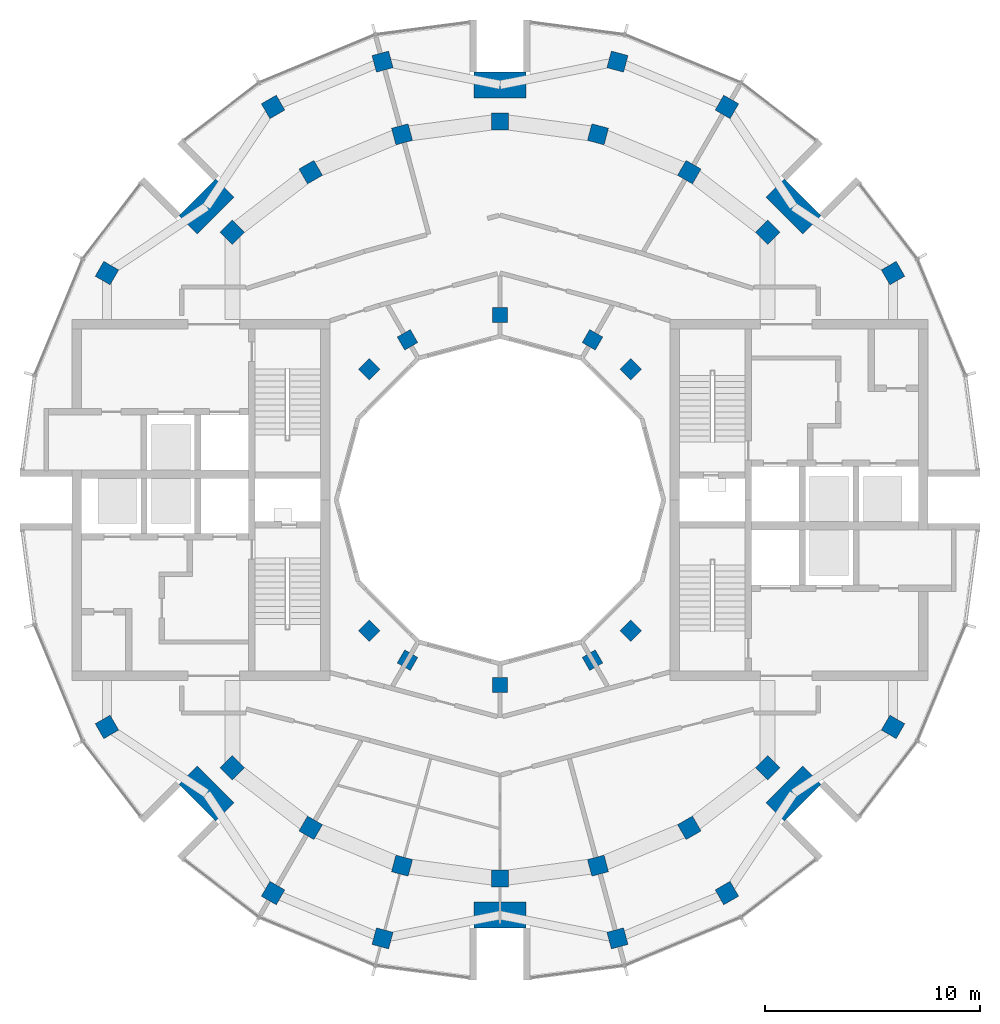
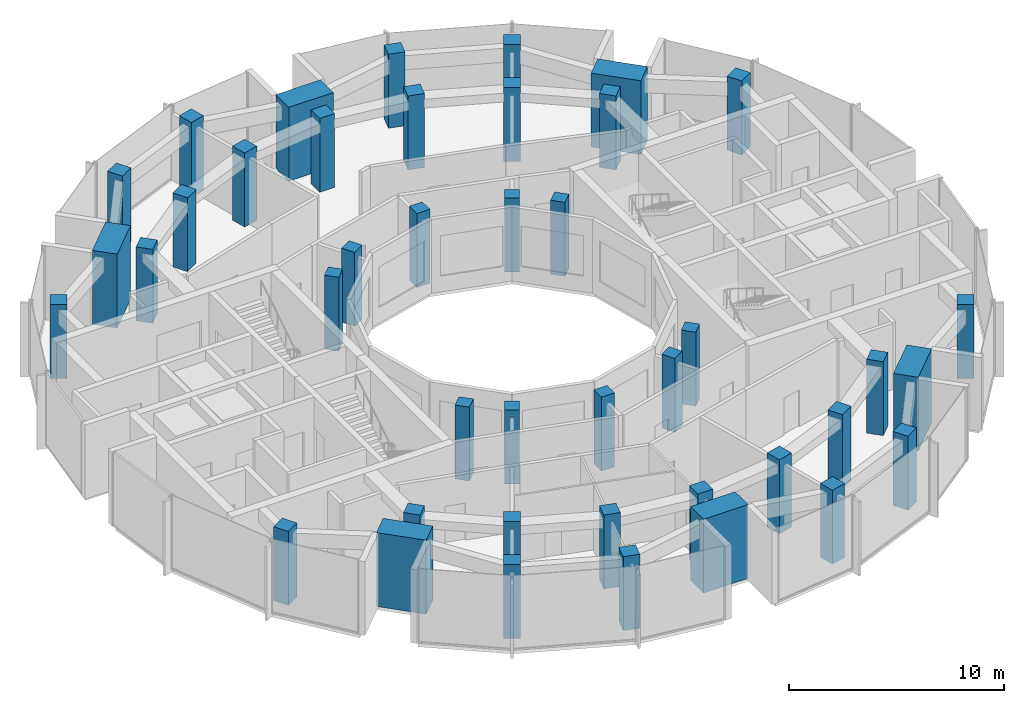
# One storey, part 1 of 13: 42 columns.
"""IFC4 building model written with IfcOpenShell, lengths in metres."""

import ifcopenshell
import ifcopenshell.guid

model = None  # the IFC model being written
_history = None  # IfcOwnerHistory: only IFC2X3 demands one
_inside = {}  # id of a spatial element -> (the spatial element, [elements in it])
_under = {}  # id of a project, library or spatial element -> (it, [spatial elements below it])
_declared = {}  # id of a project -> (the project, [libraries it declares])
_typed = {}  # id of a type object -> (the type object, [elements of that type])
_made_of = {}  # id of a material, layer set ... -> (it, [elements and type objects made of it])


def new_model(schema):
    """Start an empty IFC model of exactly this schema.

    Asked for "IFC4X3", IfcOpenShell would pick the latest addendum, in which some entities
    have other attributes; the version numbers below select the first issue.
    IFC2X3 requires an IfcOwnerHistory on every rooted entity: one is made here for all.
    """
    global model, _history
    if schema == "IFC4X3":
        model = ifcopenshell.file(schema_version=(4, 3, 0, 0))
    else:
        model = ifcopenshell.file(schema=schema)
    _inside.clear()
    _under.clear()
    _declared.clear()
    _typed.clear()
    _made_of.clear()
    _history = None
    if model.schema == "IFC2X3":
        org = make("IfcOrganization", Name="unknown")
        user = make(
            "IfcPersonAndOrganization",
            ThePerson=make("IfcPerson", FamilyName="unknown"),
            TheOrganization=org,
        )
        app = make(
            "IfcApplication",
            ApplicationDeveloper=org,
            Version="unknown",
            ApplicationFullName="unknown",
            ApplicationIdentifier="unknown",
        )
        _history = make(
            "IfcOwnerHistory",
            OwningUser=user,
            OwningApplication=app,
            ChangeAction="ADDED",
            CreationDate=0,
        )
    return model


def make(cls, **values):
    """One entity of the class cls with the attributes given. An attribute that is None is left unset."""
    return model.create_entity(
        cls, **{name: value for name, value in values.items() if value is not None}
    )


def rooted(cls, **values):
    """An entity with a GlobalId (a new one), such as an element, a storey or a relation."""
    return make(cls, GlobalId=ifcopenshell.guid.new(), OwnerHistory=_history, **values)


def si_unit(unit_type, name, prefix=None):
    """IfcSIUnit, for example si_unit("LENGTHUNIT", "METRE", prefix="MILLI")."""
    return make("IfcSIUnit", UnitType=unit_type, Prefix=prefix, Name=name)


def assignment(units):
    """IfcUnitAssignment: the units of a project."""
    return None if units is None else make("IfcUnitAssignment", Units=units)


def point(xyz):
    """IfcCartesianPoint."""
    return None if xyz is None else make("IfcCartesianPoint", Coordinates=xyz)


def direction(xyz):
    """IfcDirection."""
    return None if xyz is None else make("IfcDirection", DirectionRatios=xyz)


def frame(location, z_axis=None, x_axis=None):
    """IfcAxis2Placement3D, a coordinate frame: its origin and axes. An axis left out is left unset."""
    return make(
        "IfcAxis2Placement3D",
        Location=point(location),
        Axis=direction(z_axis),
        RefDirection=direction(x_axis),
    )


def frame_2d(location, x_axis=None):
    """IfcAxis2Placement2D, a coordinate frame in the plane: its origin and x axis."""
    return make(
        "IfcAxis2Placement2D", Location=point(location), RefDirection=direction(x_axis)
    )


def origin():
    """The frame at (0, 0, 0) with its axes left unset."""
    return frame((0.0, 0.0, 0.0))


def origin_2d():
    """The frame at (0, 0) in the plane with its x axis left unset."""
    return frame_2d((0.0, 0.0))


def place(relative_to, where):
    """IfcLocalPlacement: puts the frame where relative to a parent placement (None: the world)."""
    return make(
        "IfcLocalPlacement", PlacementRelTo=relative_to, RelativePlacement=where
    )


def context(
    kind, dimensions, precision=None, world=None, true_north=None, identifier=None
):
    """IfcGeometricRepresentationContext, for example the 3D "Model" context."""
    return make(
        "IfcGeometricRepresentationContext",
        ContextIdentifier=identifier,
        ContextType=kind,
        CoordinateSpaceDimension=dimensions,
        Precision=precision,
        WorldCoordinateSystem=world,
        TrueNorth=true_north,
    )


def subcontext(parent, identifier, kind, view, scale=None):
    """IfcGeometricRepresentationSubContext, for example "Body" below "Model"."""
    return make(
        "IfcGeometricRepresentationSubContext",
        ContextIdentifier=identifier,
        ContextType=kind,
        ParentContext=parent,
        TargetScale=scale,
        TargetView=view,
    )


def project(units=None, contexts=None):
    """IfcProject with its units and contexts."""
    return rooted(
        "IfcProject",
        Name="project",
        RepresentationContexts=contexts,
        UnitsInContext=assignment(units),
    )


def spatial(cls, under=None, at=None, **own):
    """A site, building, storey or space (cls), placed at a placement, below another one or the project."""
    s = rooted(cls, ObjectPlacement=at, **own)
    if under is not None:
        _under.setdefault(under.id(), (under, []))[1].append(s)
    return s


def profile(cls, at=None, kind="AREA", **sizes):
    """A parametric profile (cls). Its sizes go by their IFC names, for example OverallWidth=200.0."""
    return make(cls, ProfileType=kind, Position=at, **sizes)


def rectangle(**sizes):
    """IfcRectangleProfileDef."""
    return profile("IfcRectangleProfileDef", **sizes)


def extrude(swept, where, along, depth):
    """IfcExtrudedAreaSolid: the profile swept, set in the frame where, extruded along a direction by depth."""
    return make(
        "IfcExtrudedAreaSolid",
        SweptArea=swept,
        Position=where,
        ExtrudedDirection=direction(along),
        Depth=depth,
    )


def shape(context_of_items, identifier, shape_type, items):
    """IfcShapeRepresentation: the items that make up one representation, for example the "Body"."""
    return make(
        "IfcShapeRepresentation",
        ContextOfItems=context_of_items,
        RepresentationIdentifier=identifier,
        RepresentationType=shape_type,
        Items=items,
    )


def material(Name=None, Category=None):
    """IfcMaterial."""
    return make("IfcMaterial", Name=Name, Category=Category)


def material_profile(
    of_material, cross_section, Name=None, Category=None, Priority=None
):
    """IfcMaterialProfile: a cross section and its material."""
    return make(
        "IfcMaterialProfile",
        Name=Name,
        Material=of_material,
        Profile=cross_section,
        Priority=Priority,
        Category=Category,
    )


def profile_set(profiles, Name=None, composite=None):
    """IfcMaterialProfileSet."""
    return make(
        "IfcMaterialProfileSet",
        Name=Name,
        MaterialProfiles=profiles,
        CompositeProfile=composite,
    )


def made_of(thing, what):
    """Note that an element or type object is made of a material, layer set ...; save() writes the relation."""
    if what is not None:
        _made_of.setdefault(what.id(), (what, []))[1].append(thing)
    return thing


def type_object(cls, material=None, **own):
    """A type object (cls), such as IfcWallType, which elements share."""
    return made_of(rooted(cls, **own), material)


def element(
    cls,
    number,
    at=None,
    inside=None,
    cuts=None,
    type_object=None,
    material=None,
    context=None,
    identifier="Body",
    shape_type=None,
    held_by="IfcProductDefinitionShape",
    body=None,
    shapes=None,
    **own,
):
    """One element of the class cls, such as IfcWall. Its Tag is "e" and its number.

    at: its placement. inside: the storey or other place that contains it. cuts: it is an
    opening in that element (IfcRelVoidsElement). A single representation is given by context,
    identifier, shape_type and body (its items); several are given by shapes. held_by: the class
    of the entity that holds the representations. save() writes the other relations.
    """
    e = rooted(cls, Tag="e%d" % number, ObjectPlacement=at, **own)
    if body is not None:
        shapes = [shape(context, identifier, shape_type, body)]
    if shapes is not None:
        e.Representation = make(held_by, Representations=shapes)
    if inside is not None:
        _inside.setdefault(inside.id(), (inside, []))[1].append(e)
    if cuts is not None:
        rooted(
            "IfcRelVoidsElement", RelatingBuildingElement=cuts, RelatedOpeningElement=e
        )
    if type_object is not None:
        _typed.setdefault(type_object.id(), (type_object, []))[1].append(e)
    return made_of(e, material)


def aggregate(whole, parts):
    """IfcRelAggregates: a whole, such as a stair, and the parts it consists of."""
    return rooted("IfcRelAggregates", RelatingObject=whole, RelatedObjects=parts)


def save(model, path):
    """Write the relations noted so far, then the file.

    IfcRelAggregates (storeys below a building ...), IfcRelContainedInSpatialStructure (elements
    in a storey), IfcRelDefinesByType, IfcRelAssociatesMaterial and IfcRelDeclares: one each for
    every whole, place, type object, material and project.
    """
    for whole, parts in _under.values():
        aggregate(whole, parts)
    for where, things in _inside.values():
        rooted(
            "IfcRelContainedInSpatialStructure",
            RelatedElements=things,
            RelatingStructure=where,
        )
    for kind, things in _typed.values():
        rooted("IfcRelDefinesByType", RelatedObjects=things, RelatingType=kind)
    for what, things in _made_of.values():
        rooted("IfcRelAssociatesMaterial", RelatedObjects=things, RelatingMaterial=what)
    for by, libraries in _declared.values():
        rooted("IfcRelDeclares", RelatingContext=by, RelatedDefinitions=libraries)
    model.write(path)


model = new_model("IFC4")

# Units and contexts
model_context = context("Model", 3, precision=1e-05, world=origin(), true_north=direction((0.0, 1.0)))
body_context = subcontext(model_context, "Body", "Model", "MODEL_VIEW")
ifc_project = project(units=[si_unit("LENGTHUNIT", "METRE"), si_unit("AREAUNIT", "SQUARE_METRE"), si_unit("VOLUMEUNIT", "CUBIC_METRE"), si_unit("PLANEANGLEUNIT", "RADIAN"), si_unit("MASSUNIT", "GRAM", prefix="KILO")], contexts=[model_context])

# Site, building, storey
site_placement = place(None, origin())
site = spatial("IfcSite", under=ifc_project, at=site_placement, CompositionType="ELEMENT")
building_placement = place(site_placement, origin())
building = spatial("IfcBuilding", under=site, at=building_placement, Name="Torre Brocal", CompositionType="ELEMENT")
storey_placement = place(building_placement, frame((0.0, 0.0, 300.89990234375)))
storey = spatial("IfcBuildingStorey", under=building, at=storey_placement, Name="L69", CompositionType="ELEMENT", Elevation=300.89990234375)

# Columns
ifc_material_1 = material(Name="Concrete C50", Category="concrete")
ifc_material_profile_1 = material_profile(ifc_material_1, rectangle(XDim=1.199951171875, YDim=2.39990234375, at=origin_2d()), Name="RC 1200X2400")
ifc_profile_set_1 = profile_set([ifc_material_profile_1], Name="Concrete C50")
column_type_1 = type_object("IfcColumnType", Name="RC COLUMN 1200X2400 C50", PredefinedType="COLUMN", material=ifc_profile_set_1)
for number, where, z_axis, x_axis, name in (
    (1, (93.647216796875, 88.647216796875, 0.0), (0.0, 0.0, 1.0), (0.707106781187, 0.707106781187, 0.0), "Column MCB-1"),
    (2, (80.0, 94.300048828125, 0.0), (0.0, 0.0, 1.0), (0.0, 1.0, 0.0), "Column MCB-2"),
    (3, (66.352783203125, 88.647216796875, 0.0), (0.0, 0.0, 1.0), (-0.707106781187, 0.707106781187, 0.0), "Column MCB-3"),
    (4, (66.352783203125, 61.352783203125, 0.0), (0.0, 0.0, 1.0), (-0.707106781187, -0.707106781187, 0.0), "Column MCB-5"),
    (5, (80.0, 55.699951171875, 0.0), (0.0, 0.0, 1.0), (0.0, -1.0, 0.0), "Column MCB-6"),
    (6, (93.647216796875, 61.352783203125, 0.0), (0.0, 0.0, 1.0), (0.707106781187, -0.707106781187, 0.0), "Column MCB-7"),
):
    element("IfcColumn", number, at=place(storey_placement, frame(where, z_axis=z_axis, x_axis=x_axis)), inside=storey, type_object=column_type_1, Name=name, PredefinedType="COLUMN", context=body_context, shape_type="SweptSolid", body=[
        extrude(rectangle(XDim=1.199951171875, YDim=2.39990234375, at=origin_2d()), origin(), (0.0, 0.0, 1.0), 4.2001953125),
    ])
ifc_material_2 = material(Name="Concrete C50", Category="concrete")
ifc_material_profile_2 = material_profile(ifc_material_2, rectangle(XDim=0.699951171875, YDim=0.699951171875, at=origin_2d()), Name="RC 700X700")
ifc_profile_set_2 = profile_set([ifc_material_profile_2], Name="Concrete C50")
column_type_2 = type_object("IfcColumnType", Name="RC COLUMN 700X700 C50", PredefinedType="COLUMN", material=ifc_profile_set_2)
for number, where, z_axis, x_axis, name in (
    (7, (86.0810546875, 81.0810546875, 0.0), (0.0, 0.0, 1.0), (0.707106781187, 0.707106781187, 0.0), "Column C-I03"),
    (8, (84.300048828125, 82.44775390625, 0.0), (0.0, 0.0, 1.0), (0.5, 0.866025403784, 0.0), "Column C-I04"),
    (9, (80.0, 83.60009765625, 0.0), (0.0, 0.0, 1.0), (0.0, 1.0, 0.0), "Column C-I06"),
    (10, (75.699951171875, 82.44775390625, 0.0), (0.0, 0.0, 1.0), (-0.5, 0.866025403784, 0.0), "Column C-I08"),
    (11, (73.9189453125, 81.0810546875, 0.0), (0.0, 0.0, 1.0), (-0.707106781187, 0.707106781187, 0.0), "Column C-I09"),
    (12, (73.9189453125, 68.9189453125, 0.0), (0.0, 0.0, 1.0), (-0.707106781187, -0.707106781187, 0.0), "Column C-I15"),
    (13, (75.699951171875, 67.55224609375, 0.0), (0.0, 0.0, 1.0), (-0.5, -0.866025403784, 0.0), "Column C-I16"),
    (14, (80.0, 66.39990234375, 0.0), (0.0, 0.0, 1.0), (0.0, -1.0, 0.0), "Column C-I18"),
    (15, (84.300048828125, 67.55224609375, 0.0), (0.0, 0.0, 1.0), (0.5, -0.866025403784, 0.0), "Column C-I20"),
    (16, (86.0810546875, 68.9189453125, 0.0), (0.0, 0.0, 1.0), (0.707106781187, -0.707106781187, 0.0), "Column C-I21"),
):
    element("IfcColumn", number, at=place(storey_placement, frame(where, z_axis=z_axis, x_axis=x_axis)), inside=storey, type_object=column_type_2, Name=name, PredefinedType="COLUMN", context=body_context, shape_type="SweptSolid", body=[
        extrude(rectangle(XDim=0.699951171875, YDim=0.699951171875, at=origin_2d()), origin(), (0.0, 0.0, 1.0), 4.2001953125),
    ])
ifc_material_3 = material(Name="Concrete C50", Category="concrete")
ifc_material_profile_3 = material_profile(ifc_material_3, rectangle(XDim=0.800048828125, YDim=0.800048828125, at=origin_2d()), Name="RC 800X800")
ifc_profile_set_3 = profile_set([ifc_material_profile_3], Name="Concrete C50")
column_type_3 = type_object("IfcColumnType", Name="RC COLUMN 800X800 C50", PredefinedType="COLUMN", material=ifc_profile_set_3)
for number, where, z_axis, x_axis, name in (
    (17, (98.273193359375, 85.550048828125, 0.0), (0.0, 0.0, 1.0), (0.866025403784, 0.5, 0.0), "Column C-OB02"),
    (18, (90.550048828125, 93.273193359375, 0.0), (0.0, 0.0, 1.0), (0.5, 0.866025403784, 0.0), "Column C-OB04"),
    (19, (85.461181640625, 95.381103515625, 0.0), (0.0, 0.0, 1.0), (0.258819045103, 0.965925826289, 0.0), "Column C-OB05"),
    (20, (74.538818359375, 95.381103515625, 0.0), (0.0, 0.0, 1.0), (-0.258819045103, 0.965925826289, 0.0), "Column C-OB07"),
    (21, (69.449951171875, 93.273193359375, 0.0), (0.0, 0.0, 1.0), (-0.5, 0.866025403784, 0.0), "Column C-OB08"),
    (22, (61.726806640625, 85.550048828125, 0.0), (0.0, 0.0, 1.0), (-0.866025403784, 0.5, 0.0), "Column C-OB10"),
    (23, (61.726806640625, 64.449951171875, 0.0), (0.0, 0.0, 1.0), (-0.866025403784, -0.5, 0.0), "Column C-OB14"),
    (24, (69.449951171875, 56.726806640625, 0.0), (0.0, 0.0, 1.0), (-0.5, -0.866025403784, 0.0), "Column C-OB16"),
    (25, (74.538818359375, 54.618896484375, 0.0), (0.0, 0.0, 1.0), (-0.258819045103, -0.965925826289, 0.0), "Column C-OB17"),
    (26, (85.461181640625, 54.618896484375, 0.0), (0.0, 0.0, 1.0), (0.258819045103, -0.965925826289, 0.0), "Column C-OB19"),
    (27, (90.550048828125, 56.726806640625, 0.0), (0.0, 0.0, 1.0), (0.5, -0.866025403784, 0.0), "Column C-OB20"),
    (28, (98.273193359375, 64.449951171875, 0.0), (0.0, 0.0, 1.0), (0.866025403784, -0.5, 0.0), "Column C-OB22"),
    (29, (92.445068359375, 87.445068359375, 0.0), (0.0, 0.0, 1.0), (0.707106781187, 0.707106781187, 0.0), "Column C-M03"),
    (30, (88.800048828125, 90.241943359375, 0.0), (0.0, 0.0, 1.0), (0.5, 0.866025403784, 0.0), "Column C-M04"),
    (31, (84.55517578125, 92.000244140625, 0.0), (0.0, 0.0, 1.0), (0.258819045103, 0.965925826289, 0.0), "Column C-M05"),
    (32, (80.0, 92.60009765625, 0.0), (0.0, 0.0, 1.0), (0.0, 1.0, 0.0), "Column C-M06"),
    (33, (75.44482421875, 92.000244140625, 0.0), (0.0, 0.0, 1.0), (-0.258819045103, 0.965925826289, 0.0), "Column C-M07"),
    (34, (71.199951171875, 90.241943359375, 0.0), (0.0, 0.0, 1.0), (-0.5, 0.866025403784, 0.0), "Column C-M08"),
    (35, (67.554931640625, 87.445068359375, 0.0), (0.0, 0.0, 1.0), (-0.707106781187, 0.707106781187, 0.0), "Column C-M09"),
    (36, (67.554931640625, 62.554931640625, 0.0), (0.0, 0.0, 1.0), (-0.707106781187, -0.707106781187, 0.0), "Column C-M15"),
    (37, (71.199951171875, 59.758056640625, 0.0), (0.0, 0.0, 1.0), (-0.5, -0.866025403784, 0.0), "Column C-M16"),
    (38, (75.44482421875, 57.999755859375, 0.0), (0.0, 0.0, 1.0), (-0.258819045103, -0.965925826289, 0.0), "Column C-M17"),
    (39, (80.0, 57.39990234375, 0.0), (0.0, 0.0, 1.0), (0.0, -1.0, 0.0), "Column C-M18"),
    (40, (84.55517578125, 57.999755859375, 0.0), (0.0, 0.0, 1.0), (0.258819045103, -0.965925826289, 0.0), "Column C-M19"),
    (41, (88.800048828125, 59.758056640625, 0.0), (0.0, 0.0, 1.0), (0.5, -0.866025403784, 0.0), "Column C-M20"),
    (42, (92.445068359375, 62.554931640625, 0.0), (0.0, 0.0, 1.0), (0.707106781187, -0.707106781187, 0.0), "Column C-M21"),
):
    element("IfcColumn", number, at=place(storey_placement, frame(where, z_axis=z_axis, x_axis=x_axis)), inside=storey, type_object=column_type_3, Name=name, PredefinedType="COLUMN", context=body_context, shape_type="SweptSolid", body=[
        extrude(rectangle(XDim=0.800048828125, YDim=0.800048828125, at=origin_2d()), origin(), (0.0, 0.0, 1.0), 4.2001953125),
    ])

save(model, "model.ifc")
